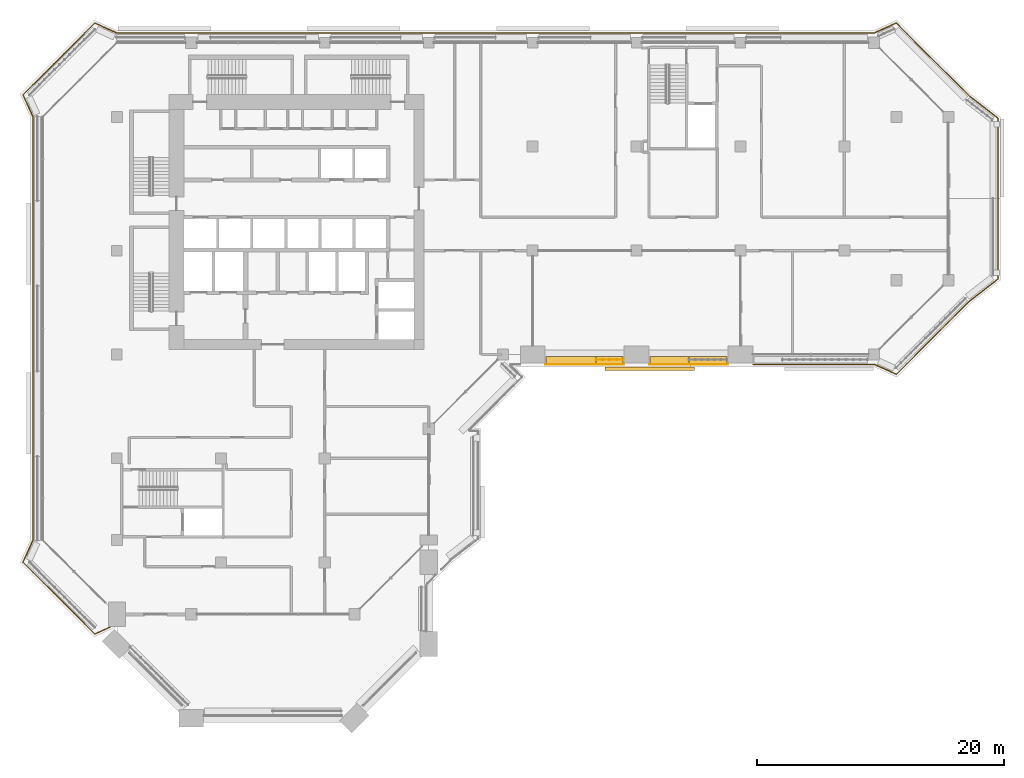
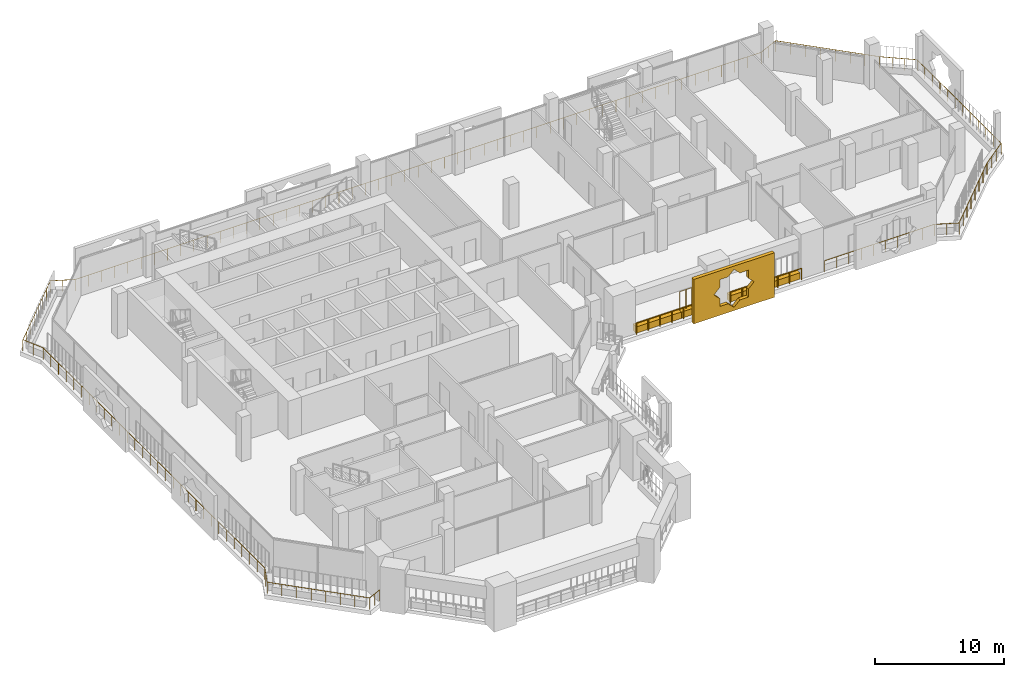
# One storey, part 20 of 24: 5 coverings, 4 railings.
"""IFC4 building model written with IfcOpenShell, lengths in metres."""

from ifc_helpers import new_model, si_unit, direction, frame, origin, origin_2d, place, context, subcontext, project, spatial, polyline, rectangle, circle, outline, extrude, material, material_profile, profile_set, type_object, element, save


model = new_model("IFC4")

# Units and contexts
model_context = context("Model", 3, precision=1e-05, world=origin(), true_north=direction((0.0, 1.0)))
body_context = subcontext(model_context, "Body", "Model", "MODEL_VIEW")
ifc_project = project(units=[si_unit("LENGTHUNIT", "METRE"), si_unit("AREAUNIT", "SQUARE_METRE"), si_unit("VOLUMEUNIT", "CUBIC_METRE"), si_unit("PLANEANGLEUNIT", "RADIAN"), si_unit("MASSUNIT", "GRAM", prefix="KILO")], contexts=[model_context])

# Site, building, storey
site_placement = place(None, origin())
site = spatial("IfcSite", under=ifc_project, at=site_placement, CompositionType="ELEMENT")
building_placement = place(site_placement, origin())
building = spatial("IfcBuilding", under=site, at=building_placement, Name="Kawkab Arch Medical Tower", CompositionType="ELEMENT")
storey_placement = place(building_placement, frame((0.0, 0.0, 218.0)))
storey = spatial("IfcBuildingStorey", under=building, at=storey_placement, Name="L50", CompositionType="ELEMENT", Elevation=218.0)

# Railings
ifc_material_1 = material(Name="Bronze anodised aluminium guard", Category="aluminium")
railing_type_1 = type_object("IfcRailingType", Name="Loggia and terrace guard 1100", PredefinedType="GUARDRAIL", material=ifc_material_1)
railing_1_placement = place(storey_placement, frame((-0.549072265625, -47.22998046875, 0.0)))
element("IfcRailing", 1, at=railing_1_placement, inside=storey, type_object=railing_type_1, Name="Guard L50.LOG-01.1.1", PredefinedType="GUARDRAIL", context=body_context, shape_type="SweptSolid", body=[
    extrude(circle(Radius=0.02392578125, at=origin_2d()), frame((0.0, 0.0, 1.076171875), z_axis=(-0.909865105425, -0.414904193675, 0.0), x_axis=(0.414904193675, -0.909865105425, 0.0)), (0.0, 0.0, 1.0), 1.369384765625),
    extrude(circle(Radius=0.02392578125, at=origin_2d()), frame((-1.245849609375, -0.568115234375, 1.076171875), z_axis=(-0.707106781187, 0.707106781187, 0.0), x_axis=(-0.707106781187, -0.707106781187, 0.0)), (0.0, 0.0, 1.0), 8.20654296875),
    extrude(circle(Radius=0.02392578125, at=origin_2d()), frame((-7.048828125, 5.23486328125, 1.076171875), z_axis=(0.414404752076, 0.910092688388, 0.0), x_axis=(-0.910092688388, 0.414404752076, 0.0)), (0.0, 0.0, 1.0), 1.92529296875),
    extrude(circle(Radius=0.02392578125, at=origin_2d()), frame((-6.2509765625, 6.987060546875, 1.076171875), z_axis=(0.0, 1.0, 0.0), x_axis=(-1.0, 0.0, 0.0)), (0.0, 0.0, 1.0), 34.285888671875),
    extrude(circle(Radius=0.02392578125, at=origin_2d()), frame((-6.2509765625, 41.27294921875, 1.076171875), z_axis=(-0.414452581809, 0.910070907914, 0.0), x_axis=(-0.910070907914, -0.414452581809, 0.0)), (0.0, 0.0, 1.0), 1.925048828125),
    extrude(circle(Radius=0.02392578125, at=origin_2d()), frame((-7.048828125, 43.02490234375, 1.076171875), z_axis=(0.707106781187, 0.707106781187, 0.0), x_axis=(-0.707106781187, 0.707106781187, 0.0)), (0.0, 0.0, 1.0), 8.20654296875),
    extrude(circle(Radius=0.02392578125, at=origin_2d()), frame((-1.245849609375, 48.827880859375, 1.076171875), z_axis=(0.910070907914, -0.414452581809, 0.0), x_axis=(0.414452581809, 0.910070907914, 0.0)), (0.0, 0.0, 1.0), 1.925048828125),
    extrude(circle(Radius=0.02392578125, at=origin_2d()), frame((0.506103515625, 48.030029296875, 1.076171875), z_axis=(1.0, 0.0, 0.0), x_axis=(0.0, 1.0, 0.0)), (0.0, 0.0, 1.0), 61.285888671875),
    extrude(circle(Radius=0.02392578125, at=origin_2d()), frame((61.7919921875, 48.030029296875, 1.076171875), z_axis=(0.910092688388, 0.414404752076, 0.0), x_axis=(-0.414404752076, 0.910092688388, 0.0)), (0.0, 0.0, 1.0), 1.92529296875),
    extrude(circle(Radius=0.02392578125, at=origin_2d()), frame((63.544189453125, 48.827880859375, 1.076171875), z_axis=(0.707106781187, -0.707106781187, 0.0), x_axis=(0.707106781187, 0.707106781187, 0.0)), (0.0, 0.0, 1.0), 8.35791015625),
    extrude(circle(Radius=0.02392578125, at=origin_2d()), frame((69.4541015625, 42.91796875, 1.076171875), z_axis=(0.789193964876, -0.614144026922, 0.0), x_axis=(0.614144026922, 0.789193964876, 0.0)), (0.0, 0.0, 1.0), 2.907958984375),
    extrude(circle(Radius=0.02392578125, at=origin_2d()), frame((71.7490234375, 41.132080078125, 1.076171875), z_axis=(0.0, -1.0, 0.0), x_axis=(1.0, 0.0, 0.0)), (0.0, 0.0, 1.0), 13.004150390625),
    extrude(circle(Radius=0.02392578125, at=origin_2d()), frame((71.7490234375, 28.1279296875, 1.076171875), z_axis=(-0.789193964876, -0.614144026922, 0.0), x_axis=(0.614144026922, -0.789193964876, 0.0)), (0.0, 0.0, 1.0), 2.907958984375),
    extrude(circle(Radius=0.02392578125, at=origin_2d()), frame((69.4541015625, 26.342041015625, 1.076171875), z_axis=(-0.707092175918, -0.707121386154, 0.0), x_axis=(0.707121386154, -0.707092175918, 0.0)), (0.0, 0.0, 1.0), 8.358154296875),
    extrude(circle(Radius=0.02392578125, at=origin_2d()), frame((63.544189453125, 20.431884765625, 1.076171875), z_axis=(-0.910044860056, 0.414509773934, 0.0), x_axis=(-0.414509773934, -0.910044860056, 0.0)), (0.0, 0.0, 1.0), 1.92529296875),
    extrude(circle(Radius=0.02392578125, at=origin_2d()), frame((61.7919921875, 21.22998046875, 1.076171875), z_axis=(-1.0, 0.0, 0.0), x_axis=(0.0, -1.0, 0.0)), (0.0, 0.0, 1.0), 9.81298828125),
    extrude(circle(Radius=0.02099609375, at=origin_2d()), origin(), (0.0, 0.0, 1.0), 1.052001953125),
    extrude(circle(Radius=0.02099609375, at=origin_2d()), frame((-0.623046875, -0.2841796875, 0.0)), (0.0, 0.0, 1.0), 1.052001953125),
    extrude(circle(Radius=0.02099609375, at=origin_2d()), frame((-1.245849609375, -0.568115234375, 0.0)), (0.0, 0.0, 1.0), 1.052001953125),
    extrude(circle(Radius=0.02099609375, at=origin_2d()), frame((-2.074951171875, 0.260986328125, 0.0)), (0.0, 0.0, 1.0), 1.052001953125),
    extrude(circle(Radius=0.02099609375, at=origin_2d()), frame((-2.90380859375, 1.08984375, 0.0)), (0.0, 0.0, 1.0), 1.052001953125),
    extrude(circle(Radius=0.02099609375, at=origin_2d()), frame((-3.73291015625, 1.9189453125, 0.0)), (0.0, 0.0, 1.0), 1.052001953125),
    extrude(circle(Radius=0.02099609375, at=origin_2d()), frame((-4.561767578125, 2.747802734375, 0.0)), (0.0, 0.0, 1.0), 1.052001953125),
    extrude(circle(Radius=0.02099609375, at=origin_2d()), frame((-5.390869140625, 3.576904296875, 0.0)), (0.0, 0.0, 1.0), 1.052001953125),
    extrude(circle(Radius=0.02099609375, at=origin_2d()), frame((-6.2197265625, 4.40576171875, 0.0)), (0.0, 0.0, 1.0), 1.052001953125),
    extrude(circle(Radius=0.02099609375, at=origin_2d()), frame((-7.048828125, 5.23486328125, 0.0)), (0.0, 0.0, 1.0), 1.052001953125),
    extrude(circle(Radius=0.02099609375, at=origin_2d()), frame((-6.64990234375, 6.11083984375, 0.0)), (0.0, 0.0, 1.0), 1.052001953125),
    extrude(circle(Radius=0.02099609375, at=origin_2d()), frame((-6.2509765625, 6.987060546875, 0.0)), (0.0, 0.0, 1.0), 1.052001953125),
    extrude(circle(Radius=0.02099609375, at=origin_2d()), frame((-6.2509765625, 8.16943359375, 0.0)), (0.0, 0.0, 1.0), 1.052001953125),
    extrude(circle(Radius=0.02099609375, at=origin_2d()), frame((-6.2509765625, 9.3515625, 0.0)), (0.0, 0.0, 1.0), 1.052001953125),
    extrude(circle(Radius=0.02099609375, at=origin_2d()), frame((-6.2509765625, 10.533935546875, 0.0)), (0.0, 0.0, 1.0), 1.052001953125),
    extrude(circle(Radius=0.02099609375, at=origin_2d()), frame((-6.2509765625, 11.716064453125, 0.0)), (0.0, 0.0, 1.0), 1.052001953125),
    extrude(circle(Radius=0.02099609375, at=origin_2d()), frame((-6.2509765625, 12.8984375, 0.0)), (0.0, 0.0, 1.0), 1.052001953125),
    extrude(circle(Radius=0.02099609375, at=origin_2d()), frame((-6.2509765625, 14.080810546875, 0.0)), (0.0, 0.0, 1.0), 1.052001953125),
    extrude(circle(Radius=0.02099609375, at=origin_2d()), frame((-6.2509765625, 15.262939453125, 0.0)), (0.0, 0.0, 1.0), 1.052001953125),
    extrude(circle(Radius=0.02099609375, at=origin_2d()), frame((-6.2509765625, 16.4453125, 0.0)), (0.0, 0.0, 1.0), 1.052001953125),
    extrude(circle(Radius=0.02099609375, at=origin_2d()), frame((-6.2509765625, 17.62744140625, 0.0)), (0.0, 0.0, 1.0), 1.052001953125),
    extrude(circle(Radius=0.02099609375, at=origin_2d()), frame((-6.2509765625, 18.809814453125, 0.0)), (0.0, 0.0, 1.0), 1.052001953125),
    extrude(circle(Radius=0.02099609375, at=origin_2d()), frame((-6.2509765625, 19.991943359375, 0.0)), (0.0, 0.0, 1.0), 1.052001953125),
    extrude(circle(Radius=0.02099609375, at=origin_2d()), frame((-6.2509765625, 21.17431640625, 0.0)), (0.0, 0.0, 1.0), 1.052001953125),
    extrude(circle(Radius=0.02099609375, at=origin_2d()), frame((-6.2509765625, 22.356689453125, 0.0)), (0.0, 0.0, 1.0), 1.052001953125),
    extrude(circle(Radius=0.02099609375, at=origin_2d()), frame((-6.2509765625, 23.538818359375, 0.0)), (0.0, 0.0, 1.0), 1.052001953125),
    extrude(circle(Radius=0.02099609375, at=origin_2d()), frame((-6.2509765625, 24.72119140625, 0.0)), (0.0, 0.0, 1.0), 1.052001953125),
    extrude(circle(Radius=0.02099609375, at=origin_2d()), frame((-6.2509765625, 25.9033203125, 0.0)), (0.0, 0.0, 1.0), 1.052001953125),
    extrude(circle(Radius=0.02099609375, at=origin_2d()), frame((-6.2509765625, 27.085693359375, 0.0)), (0.0, 0.0, 1.0), 1.052001953125),
    extrude(circle(Radius=0.02099609375, at=origin_2d()), frame((-6.2509765625, 28.26806640625, 0.0)), (0.0, 0.0, 1.0), 1.052001953125),
    extrude(circle(Radius=0.02099609375, at=origin_2d()), frame((-6.2509765625, 29.4501953125, 0.0)), (0.0, 0.0, 1.0), 1.052001953125),
    extrude(circle(Radius=0.02099609375, at=origin_2d()), frame((-6.2509765625, 30.632568359375, 0.0)), (0.0, 0.0, 1.0), 1.052001953125),
    extrude(circle(Radius=0.02099609375, at=origin_2d()), frame((-6.2509765625, 31.814697265625, 0.0)), (0.0, 0.0, 1.0), 1.052001953125),
    extrude(circle(Radius=0.02099609375, at=origin_2d()), frame((-6.2509765625, 32.9970703125, 0.0)), (0.0, 0.0, 1.0), 1.052001953125),
    extrude(circle(Radius=0.02099609375, at=origin_2d()), frame((-6.2509765625, 34.17919921875, 0.0)), (0.0, 0.0, 1.0), 1.052001953125),
    extrude(circle(Radius=0.02099609375, at=origin_2d()), frame((-6.2509765625, 35.361572265625, 0.0)), (0.0, 0.0, 1.0), 1.052001953125),
    extrude(circle(Radius=0.02099609375, at=origin_2d()), frame((-6.2509765625, 36.5439453125, 0.0)), (0.0, 0.0, 1.0), 1.052001953125),
    extrude(circle(Radius=0.02099609375, at=origin_2d()), frame((-6.2509765625, 37.72607421875, 0.0)), (0.0, 0.0, 1.0), 1.052001953125),
    extrude(circle(Radius=0.02099609375, at=origin_2d()), frame((-6.2509765625, 38.908447265625, 0.0)), (0.0, 0.0, 1.0), 1.052001953125),
    extrude(circle(Radius=0.02099609375, at=origin_2d()), frame((-6.2509765625, 40.090576171875, 0.0)), (0.0, 0.0, 1.0), 1.052001953125),
    extrude(circle(Radius=0.02099609375, at=origin_2d()), frame((-6.2509765625, 41.27294921875, 0.0)), (0.0, 0.0, 1.0), 1.052001953125),
    extrude(circle(Radius=0.02099609375, at=origin_2d()), frame((-6.64990234375, 42.14892578125, 0.0)), (0.0, 0.0, 1.0), 1.052001953125),
    extrude(circle(Radius=0.02099609375, at=origin_2d()), frame((-7.048828125, 43.02490234375, 0.0)), (0.0, 0.0, 1.0), 1.052001953125),
    extrude(circle(Radius=0.02099609375, at=origin_2d()), frame((-6.2197265625, 43.85400390625, 0.0)), (0.0, 0.0, 1.0), 1.052001953125),
    extrude(circle(Radius=0.02099609375, at=origin_2d()), frame((-5.390869140625, 44.682861328125, 0.0)), (0.0, 0.0, 1.0), 1.052001953125),
    extrude(circle(Radius=0.02099609375, at=origin_2d()), frame((-4.561767578125, 45.511962890625, 0.0)), (0.0, 0.0, 1.0), 1.052001953125),
    extrude(circle(Radius=0.02099609375, at=origin_2d()), frame((-3.73291015625, 46.3408203125, 0.0)), (0.0, 0.0, 1.0), 1.052001953125),
    extrude(circle(Radius=0.02099609375, at=origin_2d()), frame((-2.90380859375, 47.169921875, 0.0)), (0.0, 0.0, 1.0), 1.052001953125),
    extrude(circle(Radius=0.02099609375, at=origin_2d()), frame((-2.074951171875, 47.998779296875, 0.0)), (0.0, 0.0, 1.0), 1.052001953125),
    extrude(circle(Radius=0.02099609375, at=origin_2d()), frame((-1.245849609375, 48.827880859375, 0.0)), (0.0, 0.0, 1.0), 1.052001953125),
    extrude(circle(Radius=0.02099609375, at=origin_2d()), frame((-0.369873046875, 48.428955078125, 0.0)), (0.0, 0.0, 1.0), 1.052001953125),
    extrude(circle(Radius=0.02099609375, at=origin_2d()), frame((0.506103515625, 48.030029296875, 0.0)), (0.0, 0.0, 1.0), 1.052001953125),
    extrude(circle(Radius=0.02099609375, at=origin_2d()), frame((1.6845703125, 48.030029296875, 0.0)), (0.0, 0.0, 1.0), 1.052001953125),
    extrude(circle(Radius=0.02099609375, at=origin_2d()), frame((2.86328125, 48.030029296875, 0.0)), (0.0, 0.0, 1.0), 1.052001953125),
    extrude(circle(Radius=0.02099609375, at=origin_2d()), frame((4.041748046875, 48.030029296875, 0.0)), (0.0, 0.0, 1.0), 1.052001953125),
    extrude(circle(Radius=0.02099609375, at=origin_2d()), frame((5.220458984375, 48.030029296875, 0.0)), (0.0, 0.0, 1.0), 1.052001953125),
    extrude(circle(Radius=0.02099609375, at=origin_2d()), frame((6.39892578125, 48.030029296875, 0.0)), (0.0, 0.0, 1.0), 1.052001953125),
    extrude(circle(Radius=0.02099609375, at=origin_2d()), frame((7.57763671875, 48.030029296875, 0.0)), (0.0, 0.0, 1.0), 1.052001953125),
    extrude(circle(Radius=0.02099609375, at=origin_2d()), frame((8.756103515625, 48.030029296875, 0.0)), (0.0, 0.0, 1.0), 1.052001953125),
    extrude(circle(Radius=0.02099609375, at=origin_2d()), frame((9.934814453125, 48.030029296875, 0.0)), (0.0, 0.0, 1.0), 1.052001953125),
    extrude(circle(Radius=0.02099609375, at=origin_2d()), frame((11.11328125, 48.030029296875, 0.0)), (0.0, 0.0, 1.0), 1.052001953125),
    extrude(circle(Radius=0.02099609375, at=origin_2d()), frame((12.291748046875, 48.030029296875, 0.0)), (0.0, 0.0, 1.0), 1.052001953125),
    extrude(circle(Radius=0.02099609375, at=origin_2d()), frame((13.470458984375, 48.030029296875, 0.0)), (0.0, 0.0, 1.0), 1.052001953125),
    extrude(circle(Radius=0.02099609375, at=origin_2d()), frame((14.64892578125, 48.030029296875, 0.0)), (0.0, 0.0, 1.0), 1.052001953125),
    extrude(circle(Radius=0.02099609375, at=origin_2d()), frame((15.82763671875, 48.030029296875, 0.0)), (0.0, 0.0, 1.0), 1.052001953125),
    extrude(circle(Radius=0.02099609375, at=origin_2d()), frame((17.006103515625, 48.030029296875, 0.0)), (0.0, 0.0, 1.0), 1.052001953125),
    extrude(circle(Radius=0.02099609375, at=origin_2d()), frame((18.184814453125, 48.030029296875, 0.0)), (0.0, 0.0, 1.0), 1.052001953125),
    extrude(circle(Radius=0.02099609375, at=origin_2d()), frame((19.36328125, 48.030029296875, 0.0)), (0.0, 0.0, 1.0), 1.052001953125),
    extrude(circle(Radius=0.02099609375, at=origin_2d()), frame((20.5419921875, 48.030029296875, 0.0)), (0.0, 0.0, 1.0), 1.052001953125),
    extrude(circle(Radius=0.02099609375, at=origin_2d()), frame((21.720458984375, 48.030029296875, 0.0)), (0.0, 0.0, 1.0), 1.052001953125),
    extrude(circle(Radius=0.02099609375, at=origin_2d()), frame((22.89892578125, 48.030029296875, 0.0)), (0.0, 0.0, 1.0), 1.052001953125),
    extrude(circle(Radius=0.02099609375, at=origin_2d()), frame((24.07763671875, 48.030029296875, 0.0)), (0.0, 0.0, 1.0), 1.052001953125),
    extrude(circle(Radius=0.02099609375, at=origin_2d()), frame((25.256103515625, 48.030029296875, 0.0)), (0.0, 0.0, 1.0), 1.052001953125),
    extrude(circle(Radius=0.02099609375, at=origin_2d()), frame((26.434814453125, 48.030029296875, 0.0)), (0.0, 0.0, 1.0), 1.052001953125),
    extrude(circle(Radius=0.02099609375, at=origin_2d()), frame((27.61328125, 48.030029296875, 0.0)), (0.0, 0.0, 1.0), 1.052001953125),
    extrude(circle(Radius=0.02099609375, at=origin_2d()), frame((28.7919921875, 48.030029296875, 0.0)), (0.0, 0.0, 1.0), 1.052001953125),
    extrude(circle(Radius=0.02099609375, at=origin_2d()), frame((29.970458984375, 48.030029296875, 0.0)), (0.0, 0.0, 1.0), 1.052001953125),
    extrude(circle(Radius=0.02099609375, at=origin_2d()), frame((31.14892578125, 48.030029296875, 0.0)), (0.0, 0.0, 1.0), 1.052001953125),
    extrude(circle(Radius=0.02099609375, at=origin_2d()), frame((32.32763671875, 48.030029296875, 0.0)), (0.0, 0.0, 1.0), 1.052001953125),
    extrude(circle(Radius=0.02099609375, at=origin_2d()), frame((33.506103515625, 48.030029296875, 0.0)), (0.0, 0.0, 1.0), 1.052001953125),
    extrude(circle(Radius=0.02099609375, at=origin_2d()), frame((34.684814453125, 48.030029296875, 0.0)), (0.0, 0.0, 1.0), 1.052001953125),
    extrude(circle(Radius=0.02099609375, at=origin_2d()), frame((35.86328125, 48.030029296875, 0.0)), (0.0, 0.0, 1.0), 1.052001953125),
    extrude(circle(Radius=0.02099609375, at=origin_2d()), frame((37.0419921875, 48.030029296875, 0.0)), (0.0, 0.0, 1.0), 1.052001953125),
    extrude(circle(Radius=0.02099609375, at=origin_2d()), frame((38.220458984375, 48.030029296875, 0.0)), (0.0, 0.0, 1.0), 1.052001953125),
    extrude(circle(Radius=0.02099609375, at=origin_2d()), frame((39.399169921875, 48.030029296875, 0.0)), (0.0, 0.0, 1.0), 1.052001953125),
    extrude(circle(Radius=0.02099609375, at=origin_2d()), frame((40.57763671875, 48.030029296875, 0.0)), (0.0, 0.0, 1.0), 1.052001953125),
    extrude(circle(Radius=0.02099609375, at=origin_2d()), frame((41.756103515625, 48.030029296875, 0.0)), (0.0, 0.0, 1.0), 1.052001953125),
    extrude(circle(Radius=0.02099609375, at=origin_2d()), frame((42.934814453125, 48.030029296875, 0.0)), (0.0, 0.0, 1.0), 1.052001953125),
    extrude(circle(Radius=0.02099609375, at=origin_2d()), frame((44.11328125, 48.030029296875, 0.0)), (0.0, 0.0, 1.0), 1.052001953125),
    extrude(circle(Radius=0.02099609375, at=origin_2d()), frame((45.2919921875, 48.030029296875, 0.0)), (0.0, 0.0, 1.0), 1.052001953125),
    extrude(circle(Radius=0.02099609375, at=origin_2d()), frame((46.470458984375, 48.030029296875, 0.0)), (0.0, 0.0, 1.0), 1.052001953125),
    extrude(circle(Radius=0.02099609375, at=origin_2d()), frame((47.649169921875, 48.030029296875, 0.0)), (0.0, 0.0, 1.0), 1.052001953125),
    extrude(circle(Radius=0.02099609375, at=origin_2d()), frame((48.82763671875, 48.030029296875, 0.0)), (0.0, 0.0, 1.0), 1.052001953125),
    extrude(circle(Radius=0.02099609375, at=origin_2d()), frame((50.00634765625, 48.030029296875, 0.0)), (0.0, 0.0, 1.0), 1.052001953125),
    extrude(circle(Radius=0.02099609375, at=origin_2d()), frame((51.184814453125, 48.030029296875, 0.0)), (0.0, 0.0, 1.0), 1.052001953125),
    extrude(circle(Radius=0.02099609375, at=origin_2d()), frame((52.36328125, 48.030029296875, 0.0)), (0.0, 0.0, 1.0), 1.052001953125),
    extrude(circle(Radius=0.02099609375, at=origin_2d()), frame((53.5419921875, 48.030029296875, 0.0)), (0.0, 0.0, 1.0), 1.052001953125),
    extrude(circle(Radius=0.02099609375, at=origin_2d()), frame((54.720458984375, 48.030029296875, 0.0)), (0.0, 0.0, 1.0), 1.052001953125),
    extrude(circle(Radius=0.02099609375, at=origin_2d()), frame((55.899169921875, 48.030029296875, 0.0)), (0.0, 0.0, 1.0), 1.052001953125),
    extrude(circle(Radius=0.02099609375, at=origin_2d()), frame((57.07763671875, 48.030029296875, 0.0)), (0.0, 0.0, 1.0), 1.052001953125),
    extrude(circle(Radius=0.02099609375, at=origin_2d()), frame((58.25634765625, 48.030029296875, 0.0)), (0.0, 0.0, 1.0), 1.052001953125),
    extrude(circle(Radius=0.02099609375, at=origin_2d()), frame((59.434814453125, 48.030029296875, 0.0)), (0.0, 0.0, 1.0), 1.052001953125),
    extrude(circle(Radius=0.02099609375, at=origin_2d()), frame((60.613525390625, 48.030029296875, 0.0)), (0.0, 0.0, 1.0), 1.052001953125),
    extrude(circle(Radius=0.02099609375, at=origin_2d()), frame((61.7919921875, 48.030029296875, 0.0)), (0.0, 0.0, 1.0), 1.052001953125),
    extrude(circle(Radius=0.02099609375, at=origin_2d()), frame((62.66796875, 48.428955078125, 0.0)), (0.0, 0.0, 1.0), 1.052001953125),
    extrude(circle(Radius=0.02099609375, at=origin_2d()), frame((63.544189453125, 48.827880859375, 0.0)), (0.0, 0.0, 1.0), 1.052001953125),
    extrude(circle(Radius=0.02099609375, at=origin_2d()), frame((64.388427734375, 47.983642578125, 0.0)), (0.0, 0.0, 1.0), 1.052001953125),
    extrude(circle(Radius=0.02099609375, at=origin_2d()), frame((65.232666015625, 47.139404296875, 0.0)), (0.0, 0.0, 1.0), 1.052001953125),
    extrude(circle(Radius=0.02099609375, at=origin_2d()), frame((66.076904296875, 46.295166015625, 0.0)), (0.0, 0.0, 1.0), 1.052001953125),
    extrude(circle(Radius=0.02099609375, at=origin_2d()), frame((66.92138671875, 45.45068359375, 0.0)), (0.0, 0.0, 1.0), 1.052001953125),
    extrude(circle(Radius=0.02099609375, at=origin_2d()), frame((67.765625, 44.6064453125, 0.0)), (0.0, 0.0, 1.0), 1.052001953125),
    extrude(circle(Radius=0.02099609375, at=origin_2d()), frame((68.60986328125, 43.76220703125, 0.0)), (0.0, 0.0, 1.0), 1.052001953125),
    extrude(circle(Radius=0.02099609375, at=origin_2d()), frame((69.4541015625, 42.91796875, 0.0)), (0.0, 0.0, 1.0), 1.052001953125),
    extrude(circle(Radius=0.02099609375, at=origin_2d()), frame((70.218994140625, 42.32275390625, 0.0)), (0.0, 0.0, 1.0), 1.052001953125),
    extrude(circle(Radius=0.02099609375, at=origin_2d()), frame((70.984130859375, 41.727294921875, 0.0)), (0.0, 0.0, 1.0), 1.052001953125),
    extrude(circle(Radius=0.02099609375, at=origin_2d()), frame((71.7490234375, 41.132080078125, 0.0)), (0.0, 0.0, 1.0), 1.052001953125),
    extrude(circle(Radius=0.02099609375, at=origin_2d()), frame((71.7490234375, 39.949951171875, 0.0)), (0.0, 0.0, 1.0), 1.052001953125),
    extrude(circle(Radius=0.02099609375, at=origin_2d()), frame((71.7490234375, 38.767578125, 0.0)), (0.0, 0.0, 1.0), 1.052001953125),
    extrude(circle(Radius=0.02099609375, at=origin_2d()), frame((71.7490234375, 37.58544921875, 0.0)), (0.0, 0.0, 1.0), 1.052001953125),
    extrude(circle(Radius=0.02099609375, at=origin_2d()), frame((71.7490234375, 36.4033203125, 0.0)), (0.0, 0.0, 1.0), 1.052001953125),
    extrude(circle(Radius=0.02099609375, at=origin_2d()), frame((71.7490234375, 35.22119140625, 0.0)), (0.0, 0.0, 1.0), 1.052001953125),
    extrude(circle(Radius=0.02099609375, at=origin_2d()), frame((71.7490234375, 34.038818359375, 0.0)), (0.0, 0.0, 1.0), 1.052001953125),
    extrude(circle(Radius=0.02099609375, at=origin_2d()), frame((71.7490234375, 32.856689453125, 0.0)), (0.0, 0.0, 1.0), 1.052001953125),
    extrude(circle(Radius=0.02099609375, at=origin_2d()), frame((71.7490234375, 31.674560546875, 0.0)), (0.0, 0.0, 1.0), 1.052001953125),
    extrude(circle(Radius=0.02099609375, at=origin_2d()), frame((71.7490234375, 30.492431640625, 0.0)), (0.0, 0.0, 1.0), 1.052001953125),
    extrude(circle(Radius=0.02099609375, at=origin_2d()), frame((71.7490234375, 29.31005859375, 0.0)), (0.0, 0.0, 1.0), 1.052001953125),
    extrude(circle(Radius=0.02099609375, at=origin_2d()), frame((71.7490234375, 28.1279296875, 0.0)), (0.0, 0.0, 1.0), 1.052001953125),
    extrude(circle(Radius=0.02099609375, at=origin_2d()), frame((70.984130859375, 27.53271484375, 0.0)), (0.0, 0.0, 1.0), 1.052001953125),
    extrude(circle(Radius=0.02099609375, at=origin_2d()), frame((70.218994140625, 26.937255859375, 0.0)), (0.0, 0.0, 1.0), 1.052001953125),
    extrude(circle(Radius=0.02099609375, at=origin_2d()), frame((69.4541015625, 26.342041015625, 0.0)), (0.0, 0.0, 1.0), 1.052001953125),
    extrude(circle(Radius=0.02099609375, at=origin_2d()), frame((68.60986328125, 25.497802734375, 0.0)), (0.0, 0.0, 1.0), 1.052001953125),
    extrude(circle(Radius=0.02099609375, at=origin_2d()), frame((67.765625, 24.6533203125, 0.0)), (0.0, 0.0, 1.0), 1.052001953125),
    extrude(circle(Radius=0.02099609375, at=origin_2d()), frame((66.92138671875, 23.80908203125, 0.0)), (0.0, 0.0, 1.0), 1.052001953125),
    extrude(circle(Radius=0.02099609375, at=origin_2d()), frame((66.076904296875, 22.96484375, 0.0)), (0.0, 0.0, 1.0), 1.052001953125),
    extrude(circle(Radius=0.02099609375, at=origin_2d()), frame((65.232666015625, 22.12060546875, 0.0)), (0.0, 0.0, 1.0), 1.052001953125),
    extrude(circle(Radius=0.02099609375, at=origin_2d()), frame((64.388427734375, 21.276123046875, 0.0)), (0.0, 0.0, 1.0), 1.052001953125),
    extrude(circle(Radius=0.02099609375, at=origin_2d()), frame((63.544189453125, 20.431884765625, 0.0)), (0.0, 0.0, 1.0), 1.052001953125),
    extrude(circle(Radius=0.02099609375, at=origin_2d()), frame((62.66796875, 20.8310546875, 0.0)), (0.0, 0.0, 1.0), 1.052001953125),
    extrude(circle(Radius=0.02099609375, at=origin_2d()), frame((61.7919921875, 21.22998046875, 0.0)), (0.0, 0.0, 1.0), 1.052001953125),
    extrude(circle(Radius=0.02099609375, at=origin_2d()), frame((60.70166015625, 21.22998046875, 0.0)), (0.0, 0.0, 1.0), 1.052001953125),
    extrude(circle(Radius=0.02099609375, at=origin_2d()), frame((59.611328125, 21.22998046875, 0.0)), (0.0, 0.0, 1.0), 1.052001953125),
    extrude(circle(Radius=0.02099609375, at=origin_2d()), frame((58.52099609375, 21.22998046875, 0.0)), (0.0, 0.0, 1.0), 1.052001953125),
    extrude(circle(Radius=0.02099609375, at=origin_2d()), frame((57.4306640625, 21.22998046875, 0.0)), (0.0, 0.0, 1.0), 1.052001953125),
    extrude(circle(Radius=0.02099609375, at=origin_2d()), frame((56.34033203125, 21.22998046875, 0.0)), (0.0, 0.0, 1.0), 1.052001953125),
    extrude(circle(Radius=0.02099609375, at=origin_2d()), frame((55.25, 21.22998046875, 0.0)), (0.0, 0.0, 1.0), 1.052001953125),
    extrude(circle(Radius=0.02099609375, at=origin_2d()), frame((54.15966796875, 21.22998046875, 0.0)), (0.0, 0.0, 1.0), 1.052001953125),
    extrude(circle(Radius=0.02099609375, at=origin_2d()), frame((53.0693359375, 21.22998046875, 0.0)), (0.0, 0.0, 1.0), 1.052001953125),
    extrude(circle(Radius=0.02099609375, at=origin_2d()), frame((51.97900390625, 21.22998046875, 0.0)), (0.0, 0.0, 1.0), 1.052001953125),
])
for number, where, name in (
    (2, (49.3701171875, -26.0, 0.0), "Guard L50.LOG-01.1.2"),
    (3, (40.969970703125, -26.0, 0.0), "Guard L50.LOG-01.1.3"),
):
    element("IfcRailing", number, at=place(storey_placement, frame(where)), inside=storey, type_object=railing_type_1, Name=name, PredefinedType="GUARDRAIL", context=body_context, shape_type="SweptSolid", body=[
        extrude(circle(Radius=0.02392578125, at=origin_2d()), frame((0.0, 0.0, 1.076171875), z_axis=(-1.0, 0.0, 0.0), x_axis=(0.0, -1.0, 0.0)), (0.0, 0.0, 1.0), 6.340087890625),
        extrude(circle(Radius=0.02099609375, at=origin_2d()), origin(), (0.0, 0.0, 1.0), 1.052001953125),
        extrude(circle(Radius=0.02099609375, at=origin_2d()), frame((-1.056640625, 0.0, 0.0)), (0.0, 0.0, 1.0), 1.052001953125),
        extrude(circle(Radius=0.02099609375, at=origin_2d()), frame((-2.11328125, 0.0, 0.0)), (0.0, 0.0, 1.0), 1.052001953125),
        extrude(circle(Radius=0.02099609375, at=origin_2d()), frame((-3.169921875, 0.0, 0.0)), (0.0, 0.0, 1.0), 1.052001953125),
        extrude(circle(Radius=0.02099609375, at=origin_2d()), frame((-4.226806640625, 0.0, 0.0)), (0.0, 0.0, 1.0), 1.052001953125),
        extrude(circle(Radius=0.02099609375, at=origin_2d()), frame((-5.283447265625, 0.0, 0.0)), (0.0, 0.0, 1.0), 1.052001953125),
        extrude(circle(Radius=0.02099609375, at=origin_2d()), frame((-6.340087890625, 0.0, 0.0)), (0.0, 0.0, 1.0), 1.052001953125),
    ])

# Coverings
ifc_material_2 = material(Name="Bronze anodised aluminium mashrabiya panel, eight-point star pattern", Category="aluminium")
ifc_material_profile_1 = material_profile(ifc_material_2, outline(polyline([(-3.60009765625, -2.10009765625), (3.60009765625, -2.10009765625), (3.60009765625, 2.10009765625), (-3.60009765625, 2.10009765625), (-3.60009765625, -2.10009765625)]), holes=[polyline([(1.800048828125, 0.0), (1.272705078125, 0.527099609375), (1.272705078125, 1.272705078125), (0.527099609375, 1.272705078125), (0.0, 1.800048828125), (-0.527099609375, 1.272705078125), (-1.272705078125, 1.272705078125), (-1.272705078125, 0.527099609375), (-1.800048828125, 0.0), (-1.272705078125, -0.527099609375), (-1.272705078125, -1.272705078125), (-0.527099609375, -1.272705078125), (0.0, -1.800048828125), (0.527099609375, -1.272705078125), (1.272705078125, -1.272705078125), (1.272705078125, -0.527099609375), (1.800048828125, 0.0)])]), Name="Mashrabiya panel 7200x4200")
ifc_profile_set_1 = profile_set([ifc_material_profile_1], Name="Bronze anodised aluminium mashrabiya panel, eight-point star pattern")
covering_type_1 = type_object("IfcCoveringType", Name="Mashrabiya panel 7200 x 4200", PredefinedType="USERDEFINED", material=ifc_profile_set_1)
covering_1_placement = place(storey_placement, frame((43.06494140625, -26.199951171875, 1.699951171875), z_axis=(0.0, -1.0, 0.0), x_axis=(1.0, 0.0, 0.0)))
element("IfcCovering", 4, at=covering_1_placement, inside=storey, type_object=covering_type_1, Name="Mashrabiya panel L50.LOG-01-01.9", ObjectType="SCREEN", PredefinedType="USERDEFINED", context=body_context, shape_type="SweptSolid", body=[
    extrude(outline(polyline([(-3.60009765625, -2.10009765625), (3.60009765625, -2.10009765625), (3.60009765625, 2.10009765625), (-3.60009765625, 2.10009765625), (-3.60009765625, -2.10009765625)]), holes=[polyline([(1.800048828125, 0.0), (1.272705078125, 0.527099609375), (1.272705078125, 1.272705078125), (0.527099609375, 1.272705078125), (0.0, 1.800048828125), (-0.527099609375, 1.272705078125), (-1.272705078125, 1.272705078125), (-1.272705078125, 0.527099609375), (-1.800048828125, 0.0), (-1.272705078125, -0.527099609375), (-1.272705078125, -1.272705078125), (-0.527099609375, -1.272705078125), (0.0, -1.800048828125), (0.527099609375, -1.272705078125), (1.272705078125, -1.272705078125), (1.272705078125, -0.527099609375), (1.800048828125, 0.0)])]), origin(), (0.0, 0.0, 1.0), 0.300048828125),
])
ifc_material_3 = material(Name="Planting soil in a precast trough", Category="concrete")
ifc_material_profile_2 = material_profile(ifc_material_3, rectangle(XDim=0.5, YDim=0.60009765625, at=origin_2d()), Name="Trough 500x600")
ifc_profile_set_2 = profile_set([ifc_material_profile_2], Name="Planting soil in a precast trough")
covering_type_2 = type_object("IfcCoveringType", Name="Planter trough 500 x 600", PredefinedType="USERDEFINED", material=ifc_profile_set_2)
covering_2_placement = place(storey_placement, frame((49.320068359375, -25.6201171875, 0.300048828125), z_axis=(-1.0, 0.0, 0.0), x_axis=(0.0, -1.0, 0.0)))
element("IfcCovering", 5, at=covering_2_placement, inside=storey, type_object=covering_type_2, Name="Planter L50.LOG-01-01.35", ObjectType="PLANTER", PredefinedType="USERDEFINED", context=body_context, shape_type="SweptSolid", body=[
    extrude(rectangle(XDim=0.5, YDim=0.60009765625, at=origin_2d()), origin(), (0.0, 0.0, 1.0), 3.065185546875),
])
covering_3_placement = place(storey_placement, frame((46.2548828125, -25.6201171875, 0.300048828125), z_axis=(-1.0, 0.0, 0.0), x_axis=(0.0, -1.0, 0.0)))
element("IfcCovering", 6, at=covering_3_placement, inside=storey, type_object=covering_type_2, Name="Planter L50.LOG-01-01.36", ObjectType="PLANTER", PredefinedType="USERDEFINED", context=body_context, shape_type="SweptSolid", body=[
    extrude(rectangle(XDim=0.5, YDim=0.60009765625, at=origin_2d()), origin(), (0.0, 0.0, 1.0), 3.1748046875),
])
covering_4_placement = place(storey_placement, frame((40.919921875, -25.6201171875, 0.300048828125), z_axis=(-1.0, 0.0, 0.0), x_axis=(0.0, -1.0, 0.0)))
element("IfcCovering", 7, at=covering_4_placement, inside=storey, type_object=covering_type_2, Name="Planter L50.LOG-01-01.37", ObjectType="PLANTER", PredefinedType="USERDEFINED", context=body_context, shape_type="SweptSolid", body=[
    extrude(rectangle(XDim=0.5, YDim=0.60009765625, at=origin_2d()), origin(), (0.0, 0.0, 1.0), 2.199951171875),
])
covering_5_placement = place(storey_placement, frame((38.719970703125, -25.6201171875, 0.300048828125), z_axis=(-1.0, 0.0, 0.0), x_axis=(0.0, -1.0, 0.0)))
element("IfcCovering", 8, at=covering_5_placement, inside=storey, type_object=covering_type_2, Name="Planter L50.LOG-01-01.38", ObjectType="PLANTER", PredefinedType="USERDEFINED", context=body_context, shape_type="SweptSolid", body=[
    extrude(rectangle(XDim=0.5, YDim=0.60009765625, at=origin_2d()), origin(), (0.0, 0.0, 1.0), 4.0400390625),
])

# Railing
ifc_material_4 = material(Name="Bronze anodised aluminium trellis for climbing plants", Category="aluminium")
railing_type_2 = type_object("IfcRailingType", Name="Planting trellis 2400", PredefinedType="USERDEFINED", material=ifc_material_4)
railing_2_placement = place(storey_placement, frame((40.919921875, -25.6201171875, 0.0)))
element("IfcRailing", 9, at=railing_2_placement, inside=storey, type_object=railing_type_2, Name="Planting trellis L50.LOG-01-01.37", ObjectType="TRELLIS", PredefinedType="USERDEFINED", context=body_context, shape_type="SweptSolid", body=[
    extrude(circle(Radius=0.01513671875, at=origin_2d()), frame((0.0, 0.0, 2.384765625), z_axis=(-1.0, 0.0, 0.0), x_axis=(0.0, -1.0, 0.0)), (0.0, 0.0, 1.0), 2.199951171875),
    extrude(circle(Radius=0.030029296875, at=origin_2d()), origin(), (0.0, 0.0, 1.0), 2.369873046875),
    extrude(circle(Radius=0.030029296875, at=origin_2d()), frame((-0.550048828125, 0.0, 0.0)), (0.0, 0.0, 1.0), 2.369873046875),
    extrude(circle(Radius=0.030029296875, at=origin_2d()), frame((-1.10009765625, 0.0, 0.0)), (0.0, 0.0, 1.0), 2.369873046875),
    extrude(circle(Radius=0.030029296875, at=origin_2d()), frame((-1.64990234375, 0.0, 0.0)), (0.0, 0.0, 1.0), 2.369873046875),
    extrude(circle(Radius=0.030029296875, at=origin_2d()), frame((-2.199951171875, 0.0, 0.0)), (0.0, 0.0, 1.0), 2.369873046875),
])

save(model, "model.ifc")
